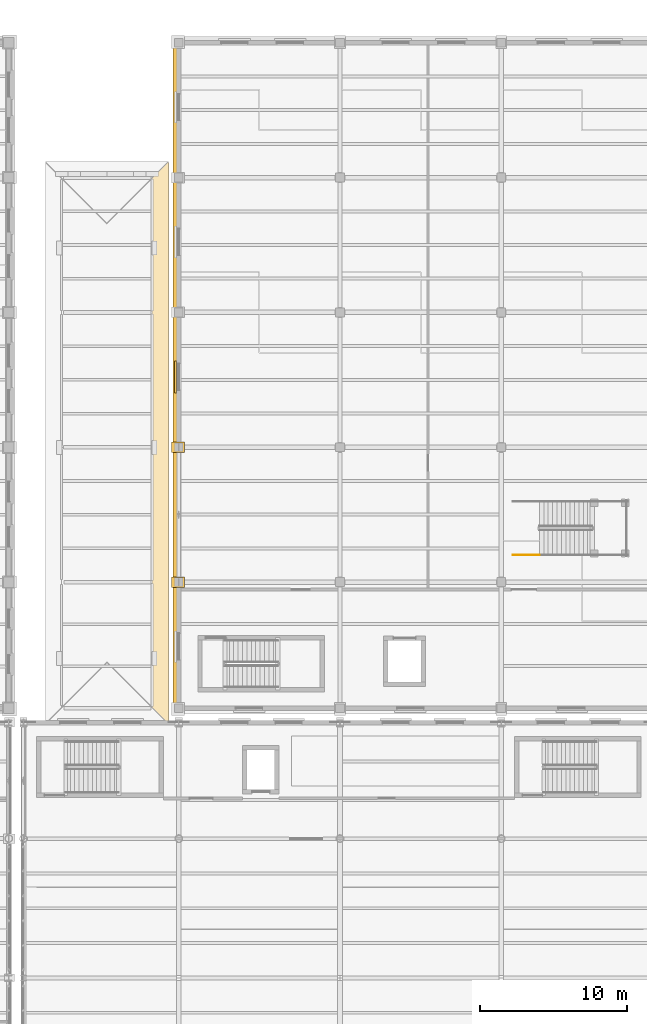
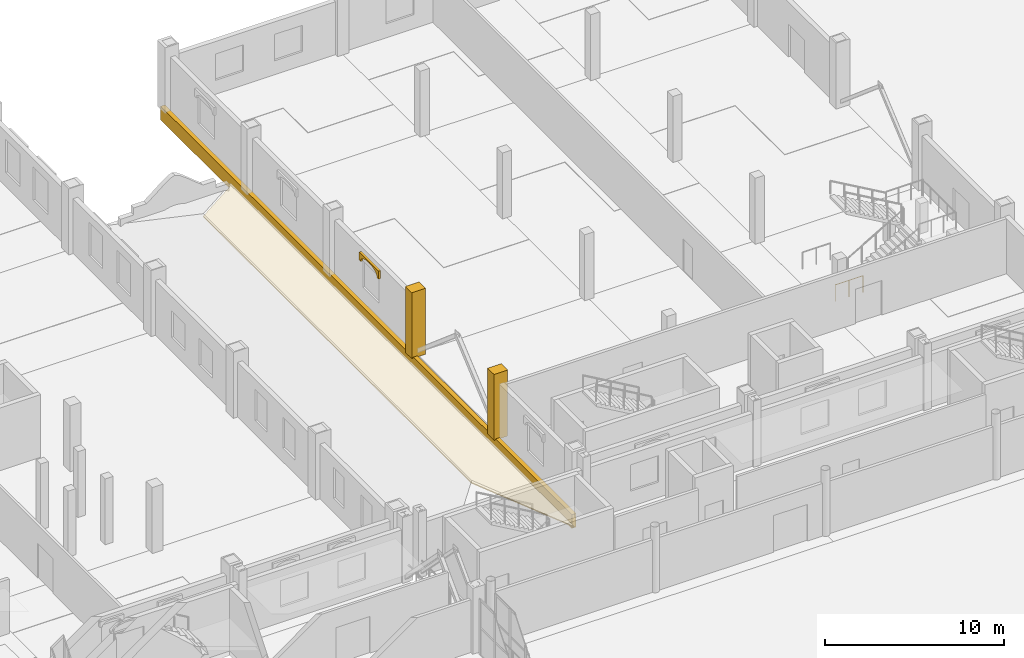
# One storey, part 147 of 156: 5 coverings, 1 railing.
"""IFC4 building model written with IfcOpenShell, lengths in metres."""

from ifc_helpers import new_model, si_unit, direction, frame, frame_2d, origin, origin_2d, place, context, subcontext, project, spatial, polyline, rectangle, circle, outline, extrude, material, layer, layer_set, type_object, element, save


model = new_model("IFC4")

# Units and contexts
model_context = context("Model", 3, precision=1e-05, world=origin(), true_north=direction((0.0, 1.0)))
body_context = subcontext(model_context, "Body", "Model", "MODEL_VIEW")
ifc_project = project(units=[si_unit("LENGTHUNIT", "METRE"), si_unit("AREAUNIT", "SQUARE_METRE"), si_unit("VOLUMEUNIT", "CUBIC_METRE"), si_unit("PLANEANGLEUNIT", "RADIAN"), si_unit("MASSUNIT", "GRAM", prefix="KILO")], contexts=[model_context])

# Site, building, storey
site_placement = place(None, origin())
site = spatial("IfcSite", under=ifc_project, at=site_placement, CompositionType="ELEMENT")
building_placement = place(site_placement, origin())
building = spatial("IfcBuilding", under=site, at=building_placement, Name="Caurita Quay Ferry Terminal", CompositionType="ELEMENT")
storey_placement = place(building_placement, frame((0.0, 0.0, 5.39990234375)))
storey = spatial("IfcBuildingStorey", under=building, at=storey_placement, Name="L01", CompositionType="ELEMENT", Elevation=5.39990234375)

# Coverings
ifc_material_1 = material(Name="Coral stone ashlar cladding", Category="masonry")
ifc_layer_1 = layer(ifc_material_1, 0.239990234375, Name="Classical coral-stone entablature and cornice moulding 240 mm")
ifc_layer_set_1 = layer_set([ifc_layer_1], Name="Coral stone ashlar cladding")
covering_type_1 = type_object("IfcCoveringType", Name="COV-ENT-MLD", PredefinedType="MOLDING", material=ifc_layer_set_1)
covering_1_placement = place(storey_placement, frame((98.93994140625, 117.280029296875, -0.849853515625), z_axis=(0.0, 0.0, 1.0), x_axis=(0.0, -1.0, 0.0)))
element("IfcCovering", 1, at=covering_1_placement, inside=storey, type_object=covering_type_1, Name="L01 Classical Entablature Cornice 037", PredefinedType="MOLDING", context=body_context, shape_type="SweptSolid", body=[
    extrude(rectangle(XDim=45.97998046875, YDim=0.280029296875, at=frame_2d((22.989990234375, 0.0))), origin(), (0.0, 0.0, 1.0), 0.929931640625),
])
ifc_material_2 = material(Name="Warm-white lime stucco masonry", Category="masonry")
ifc_layer_2 = layer(ifc_material_2, 0.179931640625, Name="Classical engaged lime-stucco facade pilaster cladding 180 mm")
ifc_layer_set_2 = layer_set([ifc_layer_2], Name="Warm-white lime stucco masonry")
covering_type_2 = type_object("IfcCoveringType", Name="COV-PIL-CLD", PredefinedType="CLADDING", material=ifc_layer_set_2)
for number, where, z_axis, x_axis, name in (
    (2, (99.14990234375, 80.199951171875, 0.0), (0.0, 0.0, 1.0), (1.0, 0.0, 0.0), "L01 Classical Engaged Pilaster 0211"),
    (3, (99.14990234375, 89.39990234375, 0.0), (0.0, 0.0, 1.0), (1.0, 0.0, 0.0), "L01 Classical Engaged Pilaster 0213"),
):
    element("IfcCovering", number, at=place(storey_placement, frame(where, z_axis=z_axis, x_axis=x_axis)), inside=storey, type_object=covering_type_2, Name=name, PredefinedType="CLADDING", context=body_context, shape_type="SweptSolid", body=[
        extrude(rectangle(XDim=0.8798828125, YDim=0.719970703125, at=origin_2d()), origin(), (0.0, 0.0, 1.0), 4.5),
    ])
ifc_material_3 = material(Name="Terracotta clay barrel tile", Category="masonry")
ifc_layer_3 = layer(ifc_material_3, 0.06494140625, Name="Terracotta clay barrel-tile roofing course")
ifc_layer_set_3 = layer_set([ifc_layer_3], Name="Terracotta clay barrel tile")
covering_type_3 = type_object("IfcCoveringType", Name="COV-TEJA-ROOF", PredefinedType="ROOFING", material=ifc_layer_set_3)
covering_2_placement = place(storey_placement, frame((98.5, 70.5, -0.139892578125), z_axis=(0.417540247903, 0.0, 0.908658429434), x_axis=(0.0, 1.0, 0.0)))
element("IfcCovering", 4, at=covering_2_placement, inside=storey, type_object=covering_type_3, Name="Terracotta Roof Timber Decking PORTICO-E", PredefinedType="ROOFING", context=body_context, shape_type="SweptSolid", body=[
    extrude(outline(polyline([(0.0, 0.0), (38.39990234375, 0.0), (34.199951171875, 4.622145171196994), (4.199951171875, 4.622145171196994), (0.0, 0.0)])), origin(), (0.0, 0.0, -1.0), 0.054931640625),
])
ifc_layer_4 = layer(ifc_material_1, 0.139892578125, Name="Spanish Colonial semicircular arched window surround 140 mm")
ifc_layer_set_4 = layer_set([ifc_layer_4], Name="Coral stone ashlar cladding")
covering_type_4 = type_object("IfcCoveringType", Name="COV-WHD-MLD", PredefinedType="MOLDING", material=ifc_layer_set_4)
covering_3_placement = place(storey_placement, frame((98.985107421875, 95.280029296875, 2.880126953125), z_axis=(0.0, 0.0, 1.0), x_axis=(0.0, -1.0, 0.0)))
element("IfcCovering", 5, at=covering_3_placement, inside=storey, type_object=covering_type_4, Name="L01 Arched Window Surround 207", PredefinedType="MOLDING", context=body_context, shape_type="SweptSolid", body=[
    extrude(outline(polyline([(0.0, 0.0), (0.159912109375, 0.0), (0.159912109375, 0.0400390625), (0.205078125, 0.1728515625), (0.335693359375, 0.292724609375), (0.539306640625, 0.387939453125), (0.795654296875, 0.448974609375), (1.080078125, 0.469970703125), (1.3642578125, 0.448974609375), (1.62060546875, 0.387939453125), (1.82421875, 0.292724609375), (1.954833984375, 0.1728515625), (2.0, 0.0400390625), (2.0, 0.0), (2.159912109375, 0.0), (2.159912109375, 0.550048828125), (0.0, 0.550048828125), (0.0, 0.0)])), frame((0.0, 0.06982421875, 0.0), z_axis=(0.0, -1.0, 0.0), x_axis=(1.0, 0.0, 0.0)), (0.0, 0.0, 1.0), 0.139892578125),
])

# Railing
ifc_material_4 = material(Name="Bronze architectural metalwork", Category="metal")
railing_type = type_object("IfcRailingType", Name="RL-REJA-115", PredefinedType="BALUSTRADE", material=ifc_material_4)
railing_placement = place(storey_placement, frame((122.0, 82.050048828125, 0.0)))
element("IfcRailing", 6, at=railing_placement, inside=storey, type_object=railing_type, Name="L01 ST-13 stair guard 8", PredefinedType="BALUSTRADE", context=body_context, shape_type="SweptSolid", body=[
    extrude(circle(Radius=0.02392578125, at=origin_2d()), frame((0.0, 0.0, 1.1259765625), z_axis=(1.0, 0.0, 0.0), x_axis=(0.0, 1.0, 0.0)), (0.0, 0.0, 1.0), 1.800048828125),
    extrude(circle(Radius=0.02099609375, at=origin_2d()), origin(), (0.0, 0.0, 1.0), 1.101806640625),
    extrude(circle(Radius=0.02099609375, at=origin_2d()), frame((0.89990234375, 0.0, 0.0)), (0.0, 0.0, 1.0), 1.101806640625),
    extrude(circle(Radius=0.02099609375, at=origin_2d()), frame((1.800048828125, 0.0, 0.0)), (0.0, 0.0, 1.0), 1.101806640625),
])

save(model, "model.ifc")
